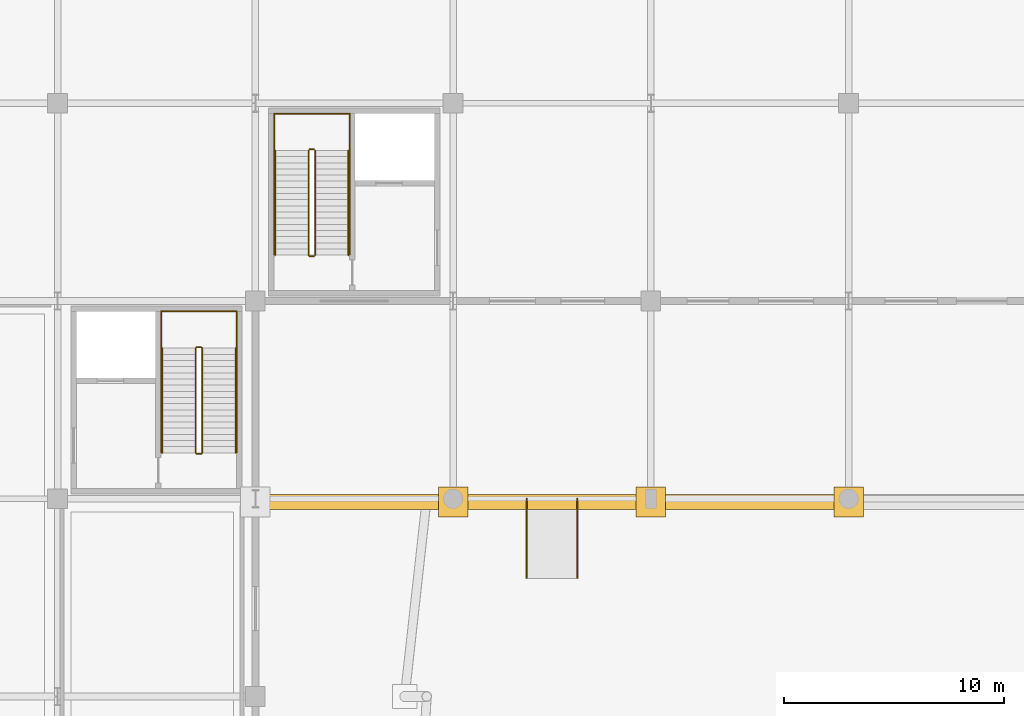
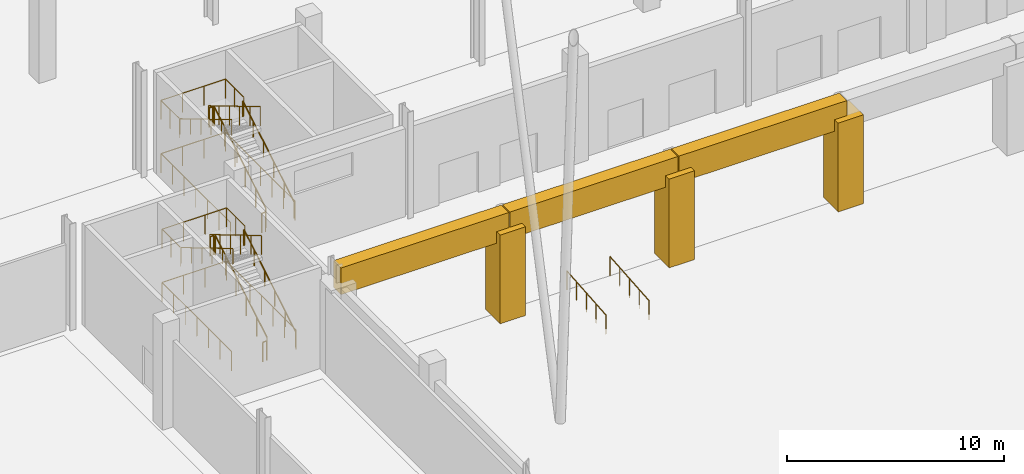
# One storey, part 44 of 58: 26 railings, 6 coverings.
"""IFC4 building model written with IfcOpenShell, lengths in metres."""

from ifc_helpers import new_model, si_unit, direction, frame, origin, origin_2d, place, context, subcontext, project, spatial, rectangle, circle, extrude, material, layer, layer_set, type_object, element, save


model = new_model("IFC4")

# Units and contexts
model_context = context("Model", 3, precision=1e-05, world=origin(), true_north=direction((0.0, 1.0)))
body_context = subcontext(model_context, "Body", "Model", "MODEL_VIEW")
ifc_project = project(units=[si_unit("LENGTHUNIT", "METRE"), si_unit("AREAUNIT", "SQUARE_METRE"), si_unit("VOLUMEUNIT", "CUBIC_METRE"), si_unit("PLANEANGLEUNIT", "RADIAN"), si_unit("MASSUNIT", "GRAM", prefix="KILO")], contexts=[model_context])

# Site, building, storey
site_placement = place(None, origin())
site = spatial("IfcSite", under=ifc_project, at=site_placement, CompositionType="ELEMENT")
building_placement = place(site_placement, origin())
building = spatial("IfcBuilding", under=site, at=building_placement, Name="Barlavento Convention Centre", CompositionType="ELEMENT")
storey_placement = place(building_placement, origin())
storey = spatial("IfcBuildingStorey", under=building, at=storey_placement, Name="L00", CompositionType="ELEMENT", Elevation=0.0)

# Coverings
ifc_material_1 = material(Name="Macau dark grey granite cladding", Category="masonry")
ifc_layer = layer(ifc_material_1, 0.050048828125)
ifc_layer_set = layer_set([ifc_layer], Name="ARC-COV-CLAD-GRANITE")
covering_type = type_object("IfcCoveringType", Name="ARC-COV-CLAD-GRANITE", PredefinedType="CLADDING", material=ifc_layer_set)
for number, where, z_axis, x_axis, name in (
    (1, (67.5, 35.85009765625, 4.35009765625), (0.0, 0.0, 1.0), (1.0, 0.0, 0.0), "Postmodern portal colonnade entablature CLD01"),
    (2, (76.5, 35.85009765625, 4.35009765625), (0.0, 0.0, 1.0), (1.0, 0.0, 0.0), "Postmodern portal colonnade entablature CLD01"),
):
    element("IfcCovering", number, at=place(storey_placement, frame(where, z_axis=z_axis, x_axis=x_axis)), inside=storey, type_object=covering_type, Name=name, PredefinedType="CLADDING", context=body_context, shape_type="SweptSolid", body=[
        extrude(rectangle(XDim=8.949951171875, YDim=0.699951171875, at=origin_2d()), origin(), (0.0, 0.0, 1.0), 1.5),
    ])
covering_1_placement = place(storey_placement, frame((72.0, 35.85009765625, 0.0), z_axis=(0.0, 0.0, 1.0), x_axis=(1.0, 0.0, 0.0)))
element("IfcCovering", 3, at=covering_1_placement, inside=storey, type_object=covering_type, Name="Postmodern stepped stone portal pier CLD01", PredefinedType="CLADDING", context=body_context, shape_type="SweptSolid", body=[
    extrude(rectangle(XDim=1.35009765625, YDim=1.35009765625, at=origin_2d()), origin(), (0.0, 0.0, 1.0), 5.0),
])
covering_2_placement = place(storey_placement, frame((85.5, 35.85009765625, 4.35009765625), z_axis=(0.0, 0.0, 1.0), x_axis=(1.0, 0.0, 0.0)))
element("IfcCovering", 4, at=covering_2_placement, inside=storey, type_object=covering_type, Name="Postmodern portal colonnade entablature CLD01", PredefinedType="CLADDING", context=body_context, shape_type="SweptSolid", body=[
    extrude(rectangle(XDim=8.949951171875, YDim=0.699951171875, at=origin_2d()), origin(), (0.0, 0.0, 1.0), 1.5),
])
for number, where, z_axis, x_axis, name in (
    (5, (81.0, 35.85009765625, 0.0), (0.0, 0.0, 1.0), (1.0, 0.0, 0.0), "Postmodern stepped stone portal pier CLD01"),
    (6, (90.0, 35.85009765625, 0.0), (0.0, 0.0, 1.0), (1.0, 0.0, 0.0), "Postmodern stepped stone portal pier CLD01"),
):
    element("IfcCovering", number, at=place(storey_placement, frame(where, z_axis=z_axis, x_axis=x_axis)), inside=storey, type_object=covering_type, Name=name, PredefinedType="CLADDING", context=body_context, shape_type="SweptSolid", body=[
        extrude(rectangle(XDim=1.35009765625, YDim=1.35009765625, at=origin_2d()), origin(), (0.0, 0.0, 1.0), 5.0),
    ])

# Railings
ifc_material_2 = material(Name="Stainless steel and laminated glass balustrade", Category="steel")
railing_type_1 = type_object("IfcRailingType", Name="ARC-RAL-BAL-1100", PredefinedType="BALUSTRADE", material=ifc_material_2)
railing_1_placement = place(storey_placement, frame((60.580078125, 38.090087890625, 0.166748046875)))
element("IfcRailing", 7, at=railing_1_placement, inside=storey, type_object=railing_type_1, Name="L00 ST02 stair guard 1", PredefinedType="BALUSTRADE", context=body_context, shape_type="SweptSolid", body=[
    extrude(circle(Radius=0.02392578125, at=origin_2d()), frame((0.0, 0.0, 1.076171875), z_axis=(0.0, 0.859299802514, 0.511472237174), x_axis=(-1.0, 0.0, 0.0)), (0.0, 0.0, 1.0), 5.539306640625),
    extrude(circle(Radius=0.02099609375, at=origin_2d()), origin(), (0.0, 0.0, 1.0), 1.052001953125),
    extrude(circle(Radius=0.02099609375, at=origin_2d()), frame((0.0, 0.951904296875, 0.566650390625)), (0.0, 0.0, 1.0), 1.052001953125),
    extrude(circle(Radius=0.02099609375, at=origin_2d()), frame((0.0, 1.904052734375, 1.13330078125)), (0.0, 0.0, 1.0), 1.052001953125),
    extrude(circle(Radius=0.02099609375, at=origin_2d()), frame((0.0, 2.85595703125, 1.699951171875)), (0.0, 0.0, 1.0), 1.052001953125),
    extrude(circle(Radius=0.02099609375, at=origin_2d()), frame((0.0, 3.80810546875, 2.2666015625)), (0.0, 0.0, 1.0), 1.052001953125),
    extrude(circle(Radius=0.02099609375, at=origin_2d()), frame((0.0, 4.760009765625, 2.833251953125)), (0.0, 0.0, 1.0), 1.052001953125),
])
railing_2_placement = place(storey_placement, frame((60.530029296875, 42.89990234375, 3.0)))
element("IfcRailing", 8, at=railing_2_placement, inside=storey, type_object=railing_type_1, Name="L00 ST02 stair guard 2", PredefinedType="BALUSTRADE", context=body_context, shape_type="SweptSolid", body=[
    extrude(circle(Radius=0.02392578125, at=origin_2d()), frame((0.0, 0.0, 1.076171875), z_axis=(-1.0, 0.0, 0.0), x_axis=(0.0, -1.0, 0.0)), (0.0, 0.0, 1.0), 0.199951171875),
    extrude(circle(Radius=0.02099609375, at=origin_2d()), origin(), (0.0, 0.0, 1.0), 1.052001953125),
    extrude(circle(Radius=0.02099609375, at=origin_2d()), frame((-0.199951171875, 0.0, 0.0)), (0.0, 0.0, 1.0), 1.052001953125),
])
railing_3_placement = place(storey_placement, frame((60.280029296875, 42.85009765625, 3.166748046875)))
element("IfcRailing", 9, at=railing_3_placement, inside=storey, type_object=railing_type_1, Name="L00 ST02 stair guard 3", PredefinedType="BALUSTRADE", context=body_context, shape_type="SweptSolid", body=[
    extrude(circle(Radius=0.02392578125, at=origin_2d()), frame((0.0, 0.0, 1.076171875), z_axis=(0.0, -0.859299802514, 0.511472237174), x_axis=(1.0, 0.0, 0.0)), (0.0, 0.0, 1.0), 5.539306640625),
    extrude(circle(Radius=0.02099609375, at=origin_2d()), origin(), (0.0, 0.0, 1.0), 1.052001953125),
    extrude(circle(Radius=0.02099609375, at=origin_2d()), frame((0.0, -0.951904296875, 0.566650390625)), (0.0, 0.0, 1.0), 1.052001953125),
    extrude(circle(Radius=0.02099609375, at=origin_2d()), frame((0.0, -1.904052734375, 1.13330078125)), (0.0, 0.0, 1.0), 1.052001953125),
    extrude(circle(Radius=0.02099609375, at=origin_2d()), frame((0.0, -2.85595703125, 1.699951171875)), (0.0, 0.0, 1.0), 1.052001953125),
    extrude(circle(Radius=0.02099609375, at=origin_2d()), frame((0.0, -3.80810546875, 2.2666015625)), (0.0, 0.0, 1.0), 1.052001953125),
    extrude(circle(Radius=0.02099609375, at=origin_2d()), frame((0.0, -4.760009765625, 2.833251953125)), (0.0, 0.0, 1.0), 1.052001953125),
])
railing_4_placement = place(storey_placement, frame((60.530029296875, 38.0400390625, 0.0)))
element("IfcRailing", 10, at=railing_4_placement, inside=storey, type_object=railing_type_1, Name="L00 ST02 stair guard 4", PredefinedType="BALUSTRADE", context=body_context, shape_type="SweptSolid", body=[
    extrude(circle(Radius=0.02392578125, at=origin_2d()), frame((0.0, 0.0, 1.076171875), z_axis=(-1.0, 0.0, 0.0), x_axis=(0.0, -1.0, 0.0)), (0.0, 0.0, 1.0), 0.199951171875),
    extrude(circle(Radius=0.02099609375, at=origin_2d()), origin(), (0.0, 0.0, 1.0), 1.052001953125),
    extrude(circle(Radius=0.02099609375, at=origin_2d()), frame((-0.199951171875, 0.0, 0.0)), (0.0, 0.0, 1.0), 1.052001953125),
])
for number, where, name in (
    (11, (62.14990234375, 42.85009765625, 3.0), "L00 landing guard GR01"),
    (12, (58.7099609375, 42.85009765625, 3.0), "L00 landing guard GR01"),
):
    element("IfcRailing", number, at=place(storey_placement, frame(where)), inside=storey, type_object=railing_type_1, Name=name, PredefinedType="BALUSTRADE", context=body_context, shape_type="SweptSolid", body=[
        extrude(circle(Radius=0.02392578125, at=origin_2d()), frame((0.0, 0.0, 1.076171875), z_axis=(0.0, 1.0, 0.0), x_axis=(-1.0, 0.0, 0.0)), (0.0, 0.0, 1.0), 1.679931640625),
        extrude(circle(Radius=0.02099609375, at=origin_2d()), origin(), (0.0, 0.0, 1.0), 1.052001953125),
        extrude(circle(Radius=0.02099609375, at=origin_2d()), frame((0.0, 0.83984375, 0.0)), (0.0, 0.0, 1.0), 1.052001953125),
        extrude(circle(Radius=0.02099609375, at=origin_2d()), frame((0.0, 1.679931640625, 0.0)), (0.0, 0.0, 1.0), 1.052001953125),
    ])
railing_5_placement = place(storey_placement, frame((62.14990234375, 44.530029296875, 3.0)))
element("IfcRailing", 13, at=railing_5_placement, inside=storey, type_object=railing_type_1, Name="L00 landing guard GR01", PredefinedType="BALUSTRADE", context=body_context, shape_type="SweptSolid", body=[
    extrude(circle(Radius=0.02392578125, at=origin_2d()), frame((0.0, 0.0, 1.076171875), z_axis=(-1.0, 0.0, 0.0), x_axis=(0.0, -1.0, 0.0)), (0.0, 0.0, 1.0), 3.43994140625),
    extrude(circle(Radius=0.02099609375, at=origin_2d()), origin(), (0.0, 0.0, 1.0), 1.052001953125),
    extrude(circle(Radius=0.02099609375, at=origin_2d()), frame((-1.146728515625, 0.0, 0.0)), (0.0, 0.0, 1.0), 1.052001953125),
    extrude(circle(Radius=0.02099609375, at=origin_2d()), frame((-2.293212890625, 0.0, 0.0)), (0.0, 0.0, 1.0), 1.052001953125),
    extrude(circle(Radius=0.02099609375, at=origin_2d()), frame((-3.43994140625, 0.0, 0.0)), (0.0, 0.0, 1.0), 1.052001953125),
])
railing_6_placement = place(storey_placement, frame((62.14990234375, 38.114990234375, 0.0)))
element("IfcRailing", 14, at=railing_6_placement, inside=storey, type_object=railing_type_1, Name="L00 stairwell perimeter guard GR01", PredefinedType="BALUSTRADE", context=body_context, shape_type="SweptSolid", body=[
    extrude(circle(Radius=0.02392578125, at=origin_2d()), frame((0.0, 0.0, 1.076171875), z_axis=(0.0, 1.0, 0.0), x_axis=(-1.0, 0.0, 0.0)), (0.0, 0.0, 1.0), 6.4150390625),
    extrude(circle(Radius=0.02099609375, at=origin_2d()), origin(), (0.0, 0.0, 1.0), 1.052001953125),
    extrude(circle(Radius=0.02099609375, at=origin_2d()), frame((0.0, 1.069091796875, 0.0)), (0.0, 0.0, 1.0), 1.052001953125),
    extrude(circle(Radius=0.02099609375, at=origin_2d()), frame((0.0, 2.138427734375, 0.0)), (0.0, 0.0, 1.0), 1.052001953125),
    extrude(circle(Radius=0.02099609375, at=origin_2d()), frame((0.0, 3.20751953125, 0.0)), (0.0, 0.0, 1.0), 1.052001953125),
    extrude(circle(Radius=0.02099609375, at=origin_2d()), frame((0.0, 4.276611328125, 0.0)), (0.0, 0.0, 1.0), 1.052001953125),
    extrude(circle(Radius=0.02099609375, at=origin_2d()), frame((0.0, 5.345947265625, 0.0)), (0.0, 0.0, 1.0), 1.052001953125),
    extrude(circle(Radius=0.02099609375, at=origin_2d()), frame((0.0, 6.4150390625, 0.0)), (0.0, 0.0, 1.0), 1.052001953125),
])
railing_7_placement = place(storey_placement, frame((62.14990234375, 44.530029296875, 0.0)))
element("IfcRailing", 15, at=railing_7_placement, inside=storey, type_object=railing_type_1, Name="L00 stairwell perimeter guard GR01", PredefinedType="BALUSTRADE", context=body_context, shape_type="SweptSolid", body=[
    extrude(circle(Radius=0.02392578125, at=origin_2d()), frame((0.0, 0.0, 1.076171875), z_axis=(-1.0, 0.0, 0.0), x_axis=(0.0, -1.0, 0.0)), (0.0, 0.0, 1.0), 3.43994140625),
    extrude(circle(Radius=0.02099609375, at=origin_2d()), origin(), (0.0, 0.0, 1.0), 1.052001953125),
    extrude(circle(Radius=0.02099609375, at=origin_2d()), frame((-1.146728515625, 0.0, 0.0)), (0.0, 0.0, 1.0), 1.052001953125),
    extrude(circle(Radius=0.02099609375, at=origin_2d()), frame((-2.293212890625, 0.0, 0.0)), (0.0, 0.0, 1.0), 1.052001953125),
    extrude(circle(Radius=0.02099609375, at=origin_2d()), frame((-3.43994140625, 0.0, 0.0)), (0.0, 0.0, 1.0), 1.052001953125),
])
railing_8_placement = place(storey_placement, frame((58.7099609375, 44.530029296875, 0.0)))
element("IfcRailing", 16, at=railing_8_placement, inside=storey, type_object=railing_type_1, Name="L00 stairwell perimeter guard GR01", PredefinedType="BALUSTRADE", context=body_context, shape_type="SweptSolid", body=[
    extrude(circle(Radius=0.02392578125, at=origin_2d()), frame((0.0, 0.0, 1.076171875), z_axis=(0.0, -1.0, 0.0), x_axis=(1.0, 0.0, 0.0)), (0.0, 0.0, 1.0), 6.4150390625),
    extrude(circle(Radius=0.02099609375, at=origin_2d()), origin(), (0.0, 0.0, 1.0), 1.052001953125),
    extrude(circle(Radius=0.02099609375, at=origin_2d()), frame((0.0, -1.069091796875, 0.0)), (0.0, 0.0, 1.0), 1.052001953125),
    extrude(circle(Radius=0.02099609375, at=origin_2d()), frame((0.0, -2.138427734375, 0.0)), (0.0, 0.0, 1.0), 1.052001953125),
    extrude(circle(Radius=0.02099609375, at=origin_2d()), frame((0.0, -3.20751953125, 0.0)), (0.0, 0.0, 1.0), 1.052001953125),
    extrude(circle(Radius=0.02099609375, at=origin_2d()), frame((0.0, -4.276611328125, 0.0)), (0.0, 0.0, 1.0), 1.052001953125),
    extrude(circle(Radius=0.02099609375, at=origin_2d()), frame((0.0, -5.345947265625, 0.0)), (0.0, 0.0, 1.0), 1.052001953125),
    extrude(circle(Radius=0.02099609375, at=origin_2d()), frame((0.0, -6.4150390625, 0.0)), (0.0, 0.0, 1.0), 1.052001953125),
])
railing_9_placement = place(storey_placement, frame((65.719970703125, 47.090087890625, 0.166748046875)))
element("IfcRailing", 17, at=railing_9_placement, inside=storey, type_object=railing_type_1, Name="L00 ST03 stair guard 1", PredefinedType="BALUSTRADE", context=body_context, shape_type="SweptSolid", body=[
    extrude(circle(Radius=0.02392578125, at=origin_2d()), frame((0.0, 0.0, 1.076171875), z_axis=(0.0, 0.859299802514, 0.511472237174), x_axis=(-1.0, 0.0, 0.0)), (0.0, 0.0, 1.0), 5.539306640625),
    extrude(circle(Radius=0.02099609375, at=origin_2d()), origin(), (0.0, 0.0, 1.0), 1.052001953125),
    extrude(circle(Radius=0.02099609375, at=origin_2d()), frame((0.0, 0.951904296875, 0.566650390625)), (0.0, 0.0, 1.0), 1.052001953125),
    extrude(circle(Radius=0.02099609375, at=origin_2d()), frame((0.0, 1.904052734375, 1.13330078125)), (0.0, 0.0, 1.0), 1.052001953125),
    extrude(circle(Radius=0.02099609375, at=origin_2d()), frame((0.0, 2.85595703125, 1.699951171875)), (0.0, 0.0, 1.0), 1.052001953125),
    extrude(circle(Radius=0.02099609375, at=origin_2d()), frame((0.0, 3.80810546875, 2.2666015625)), (0.0, 0.0, 1.0), 1.052001953125),
    extrude(circle(Radius=0.02099609375, at=origin_2d()), frame((0.0, 4.760009765625, 2.833251953125)), (0.0, 0.0, 1.0), 1.052001953125),
])
railing_10_placement = place(storey_placement, frame((65.669921875, 51.89990234375, 3.0)))
element("IfcRailing", 18, at=railing_10_placement, inside=storey, type_object=railing_type_1, Name="L00 ST03 stair guard 2", PredefinedType="BALUSTRADE", context=body_context, shape_type="SweptSolid", body=[
    extrude(circle(Radius=0.02392578125, at=origin_2d()), frame((0.0, 0.0, 1.076171875), z_axis=(-1.0, 0.0, 0.0), x_axis=(0.0, -1.0, 0.0)), (0.0, 0.0, 1.0), 0.199951171875),
    extrude(circle(Radius=0.02099609375, at=origin_2d()), origin(), (0.0, 0.0, 1.0), 1.052001953125),
    extrude(circle(Radius=0.02099609375, at=origin_2d()), frame((-0.199951171875, 0.0, 0.0)), (0.0, 0.0, 1.0), 1.052001953125),
])
railing_11_placement = place(storey_placement, frame((65.419921875, 51.85009765625, 3.166748046875)))
element("IfcRailing", 19, at=railing_11_placement, inside=storey, type_object=railing_type_1, Name="L00 ST03 stair guard 3", PredefinedType="BALUSTRADE", context=body_context, shape_type="SweptSolid", body=[
    extrude(circle(Radius=0.02392578125, at=origin_2d()), frame((0.0, 0.0, 1.076171875), z_axis=(0.0, -0.859299802514, 0.511472237174), x_axis=(1.0, 0.0, 0.0)), (0.0, 0.0, 1.0), 5.539306640625),
    extrude(circle(Radius=0.02099609375, at=origin_2d()), origin(), (0.0, 0.0, 1.0), 1.052001953125),
    extrude(circle(Radius=0.02099609375, at=origin_2d()), frame((0.0, -0.951904296875, 0.566650390625)), (0.0, 0.0, 1.0), 1.052001953125),
    extrude(circle(Radius=0.02099609375, at=origin_2d()), frame((0.0, -1.904052734375, 1.13330078125)), (0.0, 0.0, 1.0), 1.052001953125),
    extrude(circle(Radius=0.02099609375, at=origin_2d()), frame((0.0, -2.85595703125, 1.699951171875)), (0.0, 0.0, 1.0), 1.052001953125),
    extrude(circle(Radius=0.02099609375, at=origin_2d()), frame((0.0, -3.80810546875, 2.2666015625)), (0.0, 0.0, 1.0), 1.052001953125),
    extrude(circle(Radius=0.02099609375, at=origin_2d()), frame((0.0, -4.760009765625, 2.833251953125)), (0.0, 0.0, 1.0), 1.052001953125),
])
railing_12_placement = place(storey_placement, frame((65.669921875, 47.0400390625, 0.0)))
element("IfcRailing", 20, at=railing_12_placement, inside=storey, type_object=railing_type_1, Name="L00 ST03 stair guard 4", PredefinedType="BALUSTRADE", context=body_context, shape_type="SweptSolid", body=[
    extrude(circle(Radius=0.02392578125, at=origin_2d()), frame((0.0, 0.0, 1.076171875), z_axis=(-1.0, 0.0, 0.0), x_axis=(0.0, -1.0, 0.0)), (0.0, 0.0, 1.0), 0.199951171875),
    extrude(circle(Radius=0.02099609375, at=origin_2d()), origin(), (0.0, 0.0, 1.0), 1.052001953125),
    extrude(circle(Radius=0.02099609375, at=origin_2d()), frame((-0.199951171875, 0.0, 0.0)), (0.0, 0.0, 1.0), 1.052001953125),
])
for number, where, name in (
    (21, (67.2900390625, 51.85009765625, 3.0), "L00 landing guard GR01"),
    (22, (63.85009765625, 51.85009765625, 3.0), "L00 landing guard GR01"),
):
    element("IfcRailing", number, at=place(storey_placement, frame(where)), inside=storey, type_object=railing_type_1, Name=name, PredefinedType="BALUSTRADE", context=body_context, shape_type="SweptSolid", body=[
        extrude(circle(Radius=0.02392578125, at=origin_2d()), frame((0.0, 0.0, 1.076171875), z_axis=(0.0, 1.0, 0.0), x_axis=(-1.0, 0.0, 0.0)), (0.0, 0.0, 1.0), 1.679931640625),
        extrude(circle(Radius=0.02099609375, at=origin_2d()), origin(), (0.0, 0.0, 1.0), 1.052001953125),
        extrude(circle(Radius=0.02099609375, at=origin_2d()), frame((0.0, 0.83984375, 0.0)), (0.0, 0.0, 1.0), 1.052001953125),
        extrude(circle(Radius=0.02099609375, at=origin_2d()), frame((0.0, 1.679931640625, 0.0)), (0.0, 0.0, 1.0), 1.052001953125),
    ])
railing_13_placement = place(storey_placement, frame((67.2900390625, 53.530029296875, 3.0)))
element("IfcRailing", 23, at=railing_13_placement, inside=storey, type_object=railing_type_1, Name="L00 landing guard GR01", PredefinedType="BALUSTRADE", context=body_context, shape_type="SweptSolid", body=[
    extrude(circle(Radius=0.02392578125, at=origin_2d()), frame((0.0, 0.0, 1.076171875), z_axis=(-1.0, 0.0, 0.0), x_axis=(0.0, -1.0, 0.0)), (0.0, 0.0, 1.0), 3.43994140625),
    extrude(circle(Radius=0.02099609375, at=origin_2d()), origin(), (0.0, 0.0, 1.0), 1.052001953125),
    extrude(circle(Radius=0.02099609375, at=origin_2d()), frame((-1.146728515625, 0.0, 0.0)), (0.0, 0.0, 1.0), 1.052001953125),
    extrude(circle(Radius=0.02099609375, at=origin_2d()), frame((-2.293212890625, 0.0, 0.0)), (0.0, 0.0, 1.0), 1.052001953125),
    extrude(circle(Radius=0.02099609375, at=origin_2d()), frame((-3.43994140625, 0.0, 0.0)), (0.0, 0.0, 1.0), 1.052001953125),
])
railing_14_placement = place(storey_placement, frame((67.2900390625, 47.114990234375, 0.0)))
element("IfcRailing", 24, at=railing_14_placement, inside=storey, type_object=railing_type_1, Name="L00 stairwell perimeter guard GR01", PredefinedType="BALUSTRADE", context=body_context, shape_type="SweptSolid", body=[
    extrude(circle(Radius=0.02392578125, at=origin_2d()), frame((0.0, 0.0, 1.076171875), z_axis=(0.0, 1.0, 0.0), x_axis=(-1.0, 0.0, 0.0)), (0.0, 0.0, 1.0), 6.4150390625),
    extrude(circle(Radius=0.02099609375, at=origin_2d()), origin(), (0.0, 0.0, 1.0), 1.052001953125),
    extrude(circle(Radius=0.02099609375, at=origin_2d()), frame((0.0, 1.069091796875, 0.0)), (0.0, 0.0, 1.0), 1.052001953125),
    extrude(circle(Radius=0.02099609375, at=origin_2d()), frame((0.0, 2.138427734375, 0.0)), (0.0, 0.0, 1.0), 1.052001953125),
    extrude(circle(Radius=0.02099609375, at=origin_2d()), frame((0.0, 3.20751953125, 0.0)), (0.0, 0.0, 1.0), 1.052001953125),
    extrude(circle(Radius=0.02099609375, at=origin_2d()), frame((0.0, 4.276611328125, 0.0)), (0.0, 0.0, 1.0), 1.052001953125),
    extrude(circle(Radius=0.02099609375, at=origin_2d()), frame((0.0, 5.345947265625, 0.0)), (0.0, 0.0, 1.0), 1.052001953125),
    extrude(circle(Radius=0.02099609375, at=origin_2d()), frame((0.0, 6.4150390625, 0.0)), (0.0, 0.0, 1.0), 1.052001953125),
])
railing_15_placement = place(storey_placement, frame((67.2900390625, 53.530029296875, 0.0)))
element("IfcRailing", 25, at=railing_15_placement, inside=storey, type_object=railing_type_1, Name="L00 stairwell perimeter guard GR01", PredefinedType="BALUSTRADE", context=body_context, shape_type="SweptSolid", body=[
    extrude(circle(Radius=0.02392578125, at=origin_2d()), frame((0.0, 0.0, 1.076171875), z_axis=(-1.0, 0.0, 0.0), x_axis=(0.0, -1.0, 0.0)), (0.0, 0.0, 1.0), 3.43994140625),
    extrude(circle(Radius=0.02099609375, at=origin_2d()), origin(), (0.0, 0.0, 1.0), 1.052001953125),
    extrude(circle(Radius=0.02099609375, at=origin_2d()), frame((-1.146728515625, 0.0, 0.0)), (0.0, 0.0, 1.0), 1.052001953125),
    extrude(circle(Radius=0.02099609375, at=origin_2d()), frame((-2.293212890625, 0.0, 0.0)), (0.0, 0.0, 1.0), 1.052001953125),
    extrude(circle(Radius=0.02099609375, at=origin_2d()), frame((-3.43994140625, 0.0, 0.0)), (0.0, 0.0, 1.0), 1.052001953125),
])
railing_16_placement = place(storey_placement, frame((63.85009765625, 53.530029296875, 0.0)))
element("IfcRailing", 26, at=railing_16_placement, inside=storey, type_object=railing_type_1, Name="L00 stairwell perimeter guard GR01", PredefinedType="BALUSTRADE", context=body_context, shape_type="SweptSolid", body=[
    extrude(circle(Radius=0.02392578125, at=origin_2d()), frame((0.0, 0.0, 1.076171875), z_axis=(0.0, -1.0, 0.0), x_axis=(1.0, 0.0, 0.0)), (0.0, 0.0, 1.0), 6.4150390625),
    extrude(circle(Radius=0.02099609375, at=origin_2d()), origin(), (0.0, 0.0, 1.0), 1.052001953125),
    extrude(circle(Radius=0.02099609375, at=origin_2d()), frame((0.0, -1.069091796875, 0.0)), (0.0, 0.0, 1.0), 1.052001953125),
    extrude(circle(Radius=0.02099609375, at=origin_2d()), frame((0.0, -2.138427734375, 0.0)), (0.0, 0.0, 1.0), 1.052001953125),
    extrude(circle(Radius=0.02099609375, at=origin_2d()), frame((0.0, -3.20751953125, 0.0)), (0.0, 0.0, 1.0), 1.052001953125),
    extrude(circle(Radius=0.02099609375, at=origin_2d()), frame((0.0, -4.276611328125, 0.0)), (0.0, 0.0, 1.0), 1.052001953125),
    extrude(circle(Radius=0.02099609375, at=origin_2d()), frame((0.0, -5.345947265625, 0.0)), (0.0, 0.0, 1.0), 1.052001953125),
    extrude(circle(Radius=0.02099609375, at=origin_2d()), frame((0.0, -6.4150390625, 0.0)), (0.0, 0.0, 1.0), 1.052001953125),
])
ifc_material_3 = material(Name="Brushed stainless steel tubular handrail", Category="steel")
railing_type_2 = type_object("IfcRailingType", Name="ARC-RAL-HR-900", PredefinedType="HANDRAIL", material=ifc_material_3)
railing_17_placement = place(storey_placement, frame((62.10009765625, 38.090087890625, 0.166748046875)))
element("IfcRailing", 27, at=railing_17_placement, inside=storey, type_object=railing_type_2, Name="L00 ST02 stair handrail 1", PredefinedType="HANDRAIL", context=body_context, shape_type="SweptSolid", body=[
    extrude(circle(Radius=0.02392578125, at=origin_2d()), frame((0.0, 0.0, 0.8759765625), z_axis=(0.0, 0.859299802514, 0.511472237174), x_axis=(-1.0, 0.0, 0.0)), (0.0, 0.0, 1.0), 5.539306640625),
    extrude(circle(Radius=0.02099609375, at=origin_2d()), origin(), (0.0, 0.0, 1.0), 0.851806640625),
    extrude(circle(Radius=0.02099609375, at=origin_2d()), frame((0.0, 0.951904296875, 0.566650390625)), (0.0, 0.0, 1.0), 0.851806640625),
    extrude(circle(Radius=0.02099609375, at=origin_2d()), frame((0.0, 1.904052734375, 1.13330078125)), (0.0, 0.0, 1.0), 0.851806640625),
    extrude(circle(Radius=0.02099609375, at=origin_2d()), frame((0.0, 2.85595703125, 1.699951171875)), (0.0, 0.0, 1.0), 0.851806640625),
    extrude(circle(Radius=0.02099609375, at=origin_2d()), frame((0.0, 3.80810546875, 2.2666015625)), (0.0, 0.0, 1.0), 0.851806640625),
    extrude(circle(Radius=0.02099609375, at=origin_2d()), frame((0.0, 4.760009765625, 2.833251953125)), (0.0, 0.0, 1.0), 0.851806640625),
])
railing_18_placement = place(storey_placement, frame((58.760009765625, 42.85009765625, 3.166748046875)))
element("IfcRailing", 28, at=railing_18_placement, inside=storey, type_object=railing_type_2, Name="L00 ST02 stair handrail 2", PredefinedType="HANDRAIL", context=body_context, shape_type="SweptSolid", body=[
    extrude(circle(Radius=0.02392578125, at=origin_2d()), frame((0.0, 0.0, 0.8759765625), z_axis=(0.0, -0.859299802514, 0.511472237174), x_axis=(1.0, 0.0, 0.0)), (0.0, 0.0, 1.0), 5.539306640625),
    extrude(circle(Radius=0.02099609375, at=origin_2d()), origin(), (0.0, 0.0, 1.0), 0.851806640625),
    extrude(circle(Radius=0.02099609375, at=origin_2d()), frame((0.0, -0.951904296875, 0.566650390625)), (0.0, 0.0, 1.0), 0.851806640625),
    extrude(circle(Radius=0.02099609375, at=origin_2d()), frame((0.0, -1.904052734375, 1.13330078125)), (0.0, 0.0, 1.0), 0.851806640625),
    extrude(circle(Radius=0.02099609375, at=origin_2d()), frame((0.0, -2.85595703125, 1.699951171875)), (0.0, 0.0, 1.0), 0.851806640625),
    extrude(circle(Radius=0.02099609375, at=origin_2d()), frame((0.0, -3.80810546875, 2.2666015625)), (0.0, 0.0, 1.0), 0.851806640625),
    extrude(circle(Radius=0.02099609375, at=origin_2d()), frame((0.0, -4.760009765625, 2.833251953125)), (0.0, 0.0, 1.0), 0.851806640625),
])
railing_19_placement = place(storey_placement, frame((67.239990234375, 47.090087890625, 0.166748046875)))
element("IfcRailing", 29, at=railing_19_placement, inside=storey, type_object=railing_type_2, Name="L00 ST03 stair handrail 1", PredefinedType="HANDRAIL", context=body_context, shape_type="SweptSolid", body=[
    extrude(circle(Radius=0.02392578125, at=origin_2d()), frame((0.0, 0.0, 0.8759765625), z_axis=(0.0, 0.859299802514, 0.511472237174), x_axis=(-1.0, 0.0, 0.0)), (0.0, 0.0, 1.0), 5.539306640625),
    extrude(circle(Radius=0.02099609375, at=origin_2d()), origin(), (0.0, 0.0, 1.0), 0.851806640625),
    extrude(circle(Radius=0.02099609375, at=origin_2d()), frame((0.0, 0.951904296875, 0.566650390625)), (0.0, 0.0, 1.0), 0.851806640625),
    extrude(circle(Radius=0.02099609375, at=origin_2d()), frame((0.0, 1.904052734375, 1.13330078125)), (0.0, 0.0, 1.0), 0.851806640625),
    extrude(circle(Radius=0.02099609375, at=origin_2d()), frame((0.0, 2.85595703125, 1.699951171875)), (0.0, 0.0, 1.0), 0.851806640625),
    extrude(circle(Radius=0.02099609375, at=origin_2d()), frame((0.0, 3.80810546875, 2.2666015625)), (0.0, 0.0, 1.0), 0.851806640625),
    extrude(circle(Radius=0.02099609375, at=origin_2d()), frame((0.0, 4.760009765625, 2.833251953125)), (0.0, 0.0, 1.0), 0.851806640625),
])
railing_20_placement = place(storey_placement, frame((63.89990234375, 51.85009765625, 3.166748046875)))
element("IfcRailing", 30, at=railing_20_placement, inside=storey, type_object=railing_type_2, Name="L00 ST03 stair handrail 2", PredefinedType="HANDRAIL", context=body_context, shape_type="SweptSolid", body=[
    extrude(circle(Radius=0.02392578125, at=origin_2d()), frame((0.0, 0.0, 0.8759765625), z_axis=(0.0, -0.859299802514, 0.511472237174), x_axis=(1.0, 0.0, 0.0)), (0.0, 0.0, 1.0), 5.539306640625),
    extrude(circle(Radius=0.02099609375, at=origin_2d()), origin(), (0.0, 0.0, 1.0), 0.851806640625),
    extrude(circle(Radius=0.02099609375, at=origin_2d()), frame((0.0, -0.951904296875, 0.566650390625)), (0.0, 0.0, 1.0), 0.851806640625),
    extrude(circle(Radius=0.02099609375, at=origin_2d()), frame((0.0, -1.904052734375, 1.13330078125)), (0.0, 0.0, 1.0), 0.851806640625),
    extrude(circle(Radius=0.02099609375, at=origin_2d()), frame((0.0, -2.85595703125, 1.699951171875)), (0.0, 0.0, 1.0), 0.851806640625),
    extrude(circle(Radius=0.02099609375, at=origin_2d()), frame((0.0, -3.80810546875, 2.2666015625)), (0.0, 0.0, 1.0), 0.851806640625),
    extrude(circle(Radius=0.02099609375, at=origin_2d()), frame((0.0, -4.760009765625, 2.833251953125)), (0.0, 0.0, 1.0), 0.851806640625),
])
ifc_material_4 = material(Name="Painted galvanized steel perimeter guardrail", Category="steel")
railing_type_3 = type_object("IfcRailingType", Name="ARC-RAL-PAR-1100", PredefinedType="GUARDRAIL", material=ifc_material_4)
for number, where, name in (
    (31, (75.35009765625, 32.39990234375, -0.300048828125), "Accessible approach ramp west handrail guard GR02"),
    (32, (77.64990234375, 32.39990234375, -0.300048828125), "Accessible approach ramp east handrail guard GR02"),
):
    element("IfcRailing", number, at=place(storey_placement, frame(where)), inside=storey, type_object=railing_type_3, Name=name, PredefinedType="GUARDRAIL", context=body_context, shape_type="SweptSolid", body=[
        extrude(circle(Radius=0.02392578125, at=origin_2d()), frame((0.0, 0.0, 1.076171875), z_axis=(0.0, 0.996544826035, 0.083056665618), x_axis=(-1.0, 0.0, 0.0)), (0.0, 0.0, 1.0), 3.612548828125),
        extrude(circle(Radius=0.02099609375, at=origin_2d()), origin(), (0.0, 0.0, 1.0), 1.052001953125),
        extrude(circle(Radius=0.02099609375, at=origin_2d()), frame((0.0, 0.89990234375, 0.074951171875)), (0.0, 0.0, 1.0), 1.052001953125),
        extrude(circle(Radius=0.02099609375, at=origin_2d()), frame((0.0, 1.800048828125, 0.14990234375)), (0.0, 0.0, 1.0), 1.052001953125),
        extrude(circle(Radius=0.02099609375, at=origin_2d()), frame((0.0, 2.7001953125, 0.22509765625)), (0.0, 0.0, 1.0), 1.052001953125),
        extrude(circle(Radius=0.02099609375, at=origin_2d()), frame((0.0, 3.60009765625, 0.300048828125)), (0.0, 0.0, 1.0), 1.052001953125),
    ])

save(model, "model.ifc")
